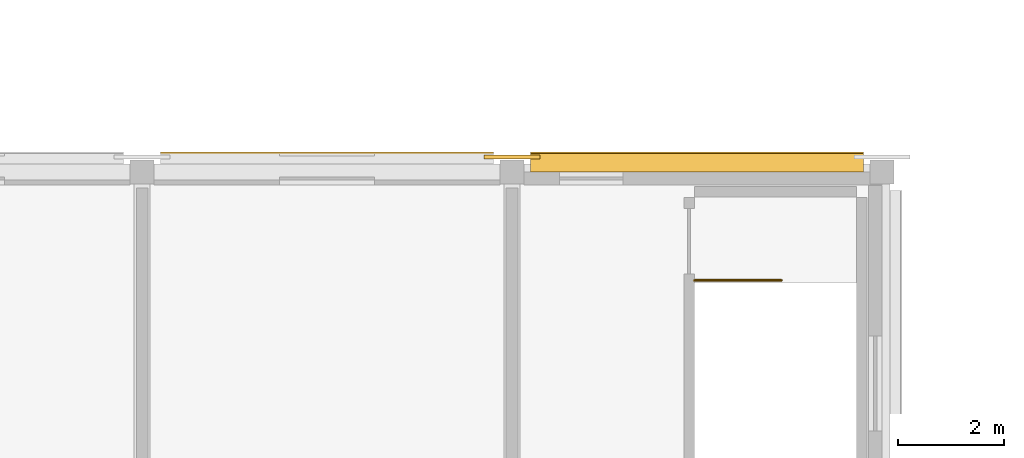
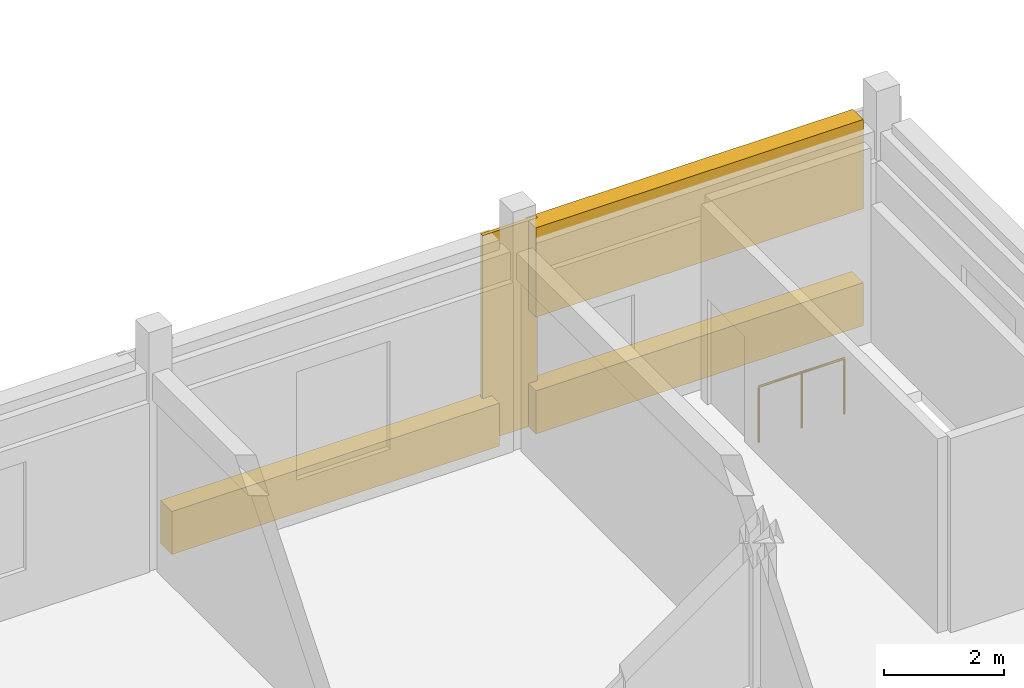
# One storey, part 88 of 97: 4 coverings, 1 railing.
"""IFC4 building model written with IfcOpenShell, lengths in metres."""

from ifc_helpers import new_model, si_unit, direction, frame, origin, origin_2d, place, context, subcontext, project, spatial, polyline, circle, outline, extrude, material, layer, layer_set, type_object, element, save


model = new_model("IFC4")

# Units and contexts
model_context = context("Model", 3, precision=1e-05, world=origin(), true_north=direction((0.0, 1.0)))
body_context = subcontext(model_context, "Body", "Model", "MODEL_VIEW")
ifc_project = project(units=[si_unit("LENGTHUNIT", "METRE"), si_unit("AREAUNIT", "SQUARE_METRE"), si_unit("VOLUMEUNIT", "CUBIC_METRE"), si_unit("PLANEANGLEUNIT", "RADIAN"), si_unit("MASSUNIT", "GRAM", prefix="KILO")], contexts=[model_context])

# Site, building, storey
site_placement = place(None, origin())
site = spatial("IfcSite", under=ifc_project, at=site_placement, CompositionType="ELEMENT")
building_placement = place(site_placement, origin())
building = spatial("IfcBuilding", under=site, at=building_placement, Name="Kiranvali Square Residences", CompositionType="ELEMENT")
storey_placement = place(building_placement, frame((0.0, 0.0, 4.5)))
storey = spatial("IfcBuildingStorey", under=building, at=storey_placement, Name="L01", CompositionType="ELEMENT", Elevation=4.5)

# Coverings
ifc_material_1 = material(Name="Honed Porbandar limestone ashlar facade cladding", Category="masonry")
ifc_layer_1 = layer(ifc_material_1, 0.06494140625)
ifc_layer_set_1 = layer_set([ifc_layer_1], Name="Honed Porbandar limestone ashlar facade cladding")
covering_type_1 = type_object("IfcCoveringType", Name="COV-CLAD-PIER", PredefinedType="CLADDING", material=ifc_layer_set_1)
covering_1_placement = place(storey_placement, frame((0.0, 0.0, 0.0048828125)))
element("IfcCovering", 1, at=covering_1_placement, inside=storey, type_object=covering_type_1, Name="L01 Classical limestone pilaster casing CLAD-RT-L01-N3", PredefinedType="CLADDING", context=body_context, shape_type="SweptSolid", body=[
    extrude(outline(polyline([(122.469970703125, 64.25048828125), (123.530029296875, 64.25048828125), (123.530029296875, 64.318115234375), (122.469970703125, 64.318115234375), (122.469970703125, 64.25048828125)])), origin(), (0.0, 0.0, 1.0), 4.190185546875),
])
ifc_layer_2 = layer(ifc_material_1, 0.360107421875)
ifc_layer_set_2 = layer_set([ifc_layer_2], Name="Honed Porbandar limestone ashlar facade cladding")
covering_type_2 = type_object("IfcCoveringType", Name="COV-CLAD-WALL", PredefinedType="CLADDING", material=ifc_layer_set_2)
covering_2_placement = place(storey_placement, frame((0.0, 0.0, 0.0048828125)))
element("IfcCovering", 2, at=covering_2_placement, inside=storey, type_object=covering_type_2, Name="L01 limestone window sill apron RT-L01-N-2", PredefinedType="CLADDING", context=body_context, shape_type="SweptSolid", body=[
    extrude(outline(polyline([(116.35009765625, 64.00048828125), (122.64990234375, 64.00048828125), (122.64990234375, 64.3798828125), (116.35009765625, 64.3798828125), (116.35009765625, 64.00048828125)])), origin(), (0.0, 0.0, 1.0), 0.875),
])
covering_3_placement = place(storey_placement, frame((0.0, 0.0, 2.3798828125)))
element("IfcCovering", 3, at=covering_3_placement, inside=storey, type_object=covering_type_2, Name="L01 light limestone spandrel lintel RT-L01-N-3", PredefinedType="CLADDING", context=body_context, shape_type="SweptSolid", body=[
    extrude(outline(polyline([(123.35009765625, 64.00048828125), (129.64990234375, 64.00048828125), (129.64990234375, 64.35009765625), (123.35009765625, 64.35009765625), (123.35009765625, 64.00048828125)])), origin(), (0.0, 0.0, 1.0), 1.815185546875),
])
covering_4_placement = place(storey_placement, frame((0.0, 0.0, 0.0048828125)))
element("IfcCovering", 4, at=covering_4_placement, inside=storey, type_object=covering_type_2, Name="L01 limestone window sill apron RT-L01-N-3", PredefinedType="CLADDING", context=body_context, shape_type="SweptSolid", body=[
    extrude(outline(polyline([(123.35009765625, 64.00048828125), (129.64990234375, 64.00048828125), (129.64990234375, 64.3798828125), (123.35009765625, 64.3798828125), (123.35009765625, 64.00048828125)])), origin(), (0.0, 0.0, 1.0), 0.875),
])

# Railing
ifc_material_2 = material(Name="Powder-coated architectural bronze balustrade", Category="steel")
railing_type = type_object("IfcRailingType", Name="RL-ST-GUARD-1200", PredefinedType="GUARDRAIL", material=ifc_material_2)
railing_placement = place(storey_placement, frame((126.449951171875, 61.949951171875, 0.0)))
element("IfcRailing", 5, at=railing_placement, inside=storey, type_object=railing_type, Name="L01 ST-RT2 top well guard 1", PredefinedType="GUARDRAIL", context=body_context, shape_type="SweptSolid", body=[
    extrude(circle(Radius=0.02392578125, at=origin_2d()), frame((0.0, 0.0, 1.1259765625), z_axis=(1.0, 0.0, 0.0), x_axis=(0.0, 1.0, 0.0)), (0.0, 0.0, 1.0), 1.650146484375),
    extrude(circle(Radius=0.02099609375, at=origin_2d()), origin(), (0.0, 0.0, 1.0), 1.101806640625),
    extrude(circle(Radius=0.02099609375, at=origin_2d()), frame((0.8251953125, 0.0, 0.0)), (0.0, 0.0, 1.0), 1.101806640625),
    extrude(circle(Radius=0.02099609375, at=origin_2d()), frame((1.650146484375, 0.0, 0.0)), (0.0, 0.0, 1.0), 1.101806640625),
])

save(model, "model.ifc")
